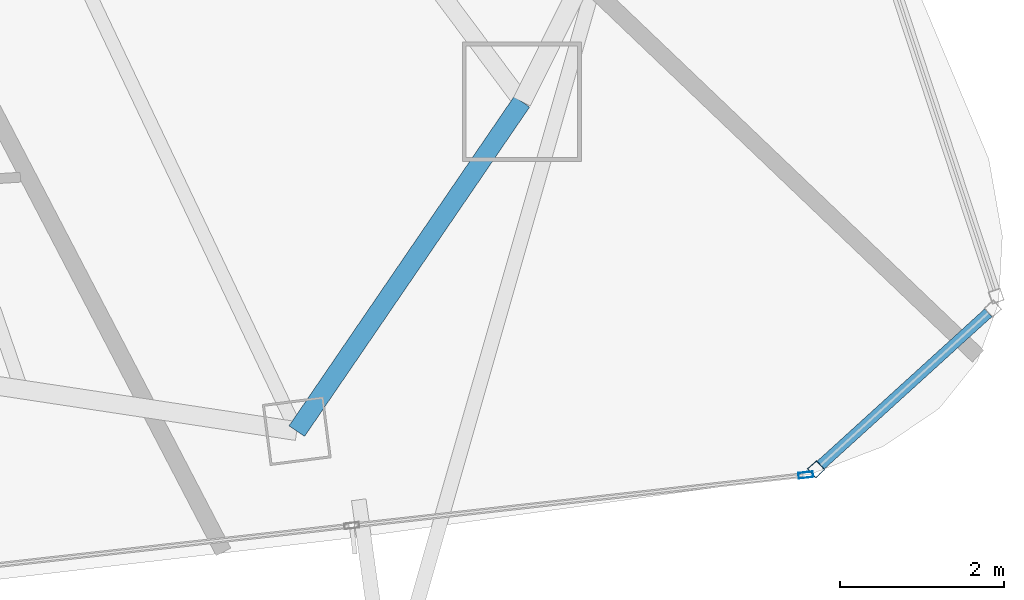
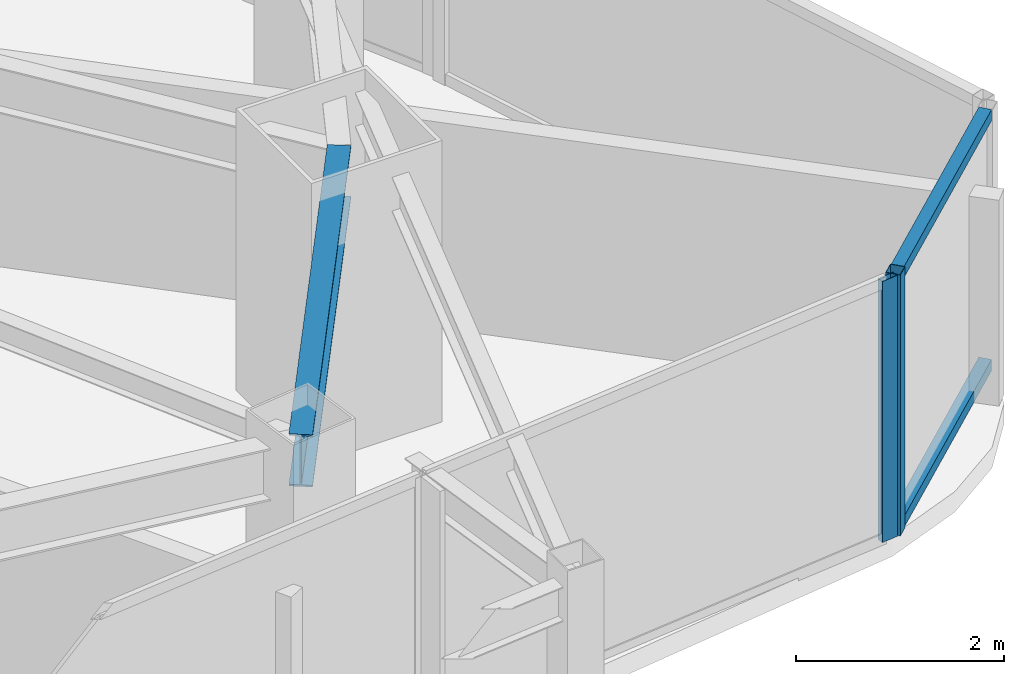
# One storey, part 13 of 29: 4 members, 1 beam, 2 elements without a shape of their own.
"""IFC4 building model written with IfcOpenShell, lengths in metres."""

from ifc_helpers import new_model, si_unit, direction, frame, origin, origin_2d, place, context, subcontext, project, spatial, hollow_rectangle, i_section, extrude, material, layer, layer_set, material_profile, profile_set, type_object, element, aggregate, save


model = new_model("IFC4")

# Units and contexts
model_context = context("Model", 3, precision=1e-05, world=origin(), true_north=direction((0.0, 1.0)))
body_context = subcontext(model_context, "Body", "Model", "MODEL_VIEW")
ifc_project = project(units=[si_unit("LENGTHUNIT", "METRE"), si_unit("AREAUNIT", "SQUARE_METRE"), si_unit("VOLUMEUNIT", "CUBIC_METRE"), si_unit("PLANEANGLEUNIT", "RADIAN"), si_unit("MASSUNIT", "GRAM", prefix="KILO")], contexts=[model_context])

# Site, building, storey
site_placement = place(None, origin())
site = spatial("IfcSite", under=ifc_project, at=site_placement, CompositionType="ELEMENT")
building_placement = place(site_placement, origin())
building = spatial("IfcBuilding", under=site, at=building_placement, Name="Orvanel Arch Residences", CompositionType="ELEMENT")
storey_placement = place(building_placement, frame((0.0, 0.0, 173.75)))
storey = spatial("IfcBuildingStorey", under=building, at=storey_placement, Name="L49", CompositionType="ELEMENT", Elevation=173.75)

# Curtain wall, member
ifc_material_1 = material(Name="Bronze-anodised aluminium AA6063-T6", Category="aluminium")
ifc_layer_1 = layer(ifc_material_1, 0.18994140625)
ifc_layer_set_1 = layer_set([ifc_layer_1], Name="Bronze-anodised aluminium AA6063-T6")
curtain_wall_type_1 = type_object("IfcCurtainWallType", Name="CW5-CRN-SYS", PredefinedType="NOTDEFINED", material=ifc_layer_set_1)
curtain_wall_1_placement = place(storey_placement, origin())
curtain_wall_1 = element("IfcCurtainWall", 1, at=curtain_wall_1_placement, inside=storey, type_object=curtain_wall_type_1, Name="L49 CW5-CRN-SYS Unitised Curtain Wall", PredefinedType="NOTDEFINED")
ifc_material_profile_1 = material_profile(ifc_material_1, hollow_rectangle(XDim=0.14990234375, YDim=0.14990234375, WallThickness=0.0048828125, at=origin_2d()), Name="ALU150x150x5")
ifc_profile_set_1 = profile_set([ifc_material_profile_1], Name="Bronze-anodised aluminium AA6063-T6")
member_type_1 = type_object("IfcMemberType", Name="MUL-150x150", PredefinedType="MULLION", material=ifc_profile_set_1)
member_1_placement = place(storey_placement, frame((55.384521484375, 5.87451171875, 0.0), z_axis=(0.0, 0.0, 1.0), x_axis=(-0.672461234192, 0.740132345266, 0.0)))
member_1 = element("IfcMember", 2, at=member_1_placement, type_object=member_type_1, Name="CW-S5 mullion 1", PredefinedType="MULLION", context=body_context, shape_type="SweptSolid", body=[
    extrude(hollow_rectangle(XDim=0.14990234375, YDim=0.14990234375, WallThickness=0.0048828125, at=origin_2d()), origin(), (0.0, 0.0, 1.0), 3.06005859375),
])

ifc_layer_2 = layer(ifc_material_1, 0.179931640625)
ifc_layer_set_2 = layer_set([ifc_layer_2], Name="Bronze-anodised aluminium AA6063-T6")
curtain_wall_type_2 = type_object("IfcCurtainWallType", Name="CW3-MID-SYS", PredefinedType="NOTDEFINED", material=ifc_layer_set_2)
curtain_wall_2_placement = place(storey_placement, origin())
curtain_wall_2 = element("IfcCurtainWall", 3, at=curtain_wall_2_placement, inside=storey, type_object=curtain_wall_type_2, Name="L49 CW3-MID-SYS Unitised Curtain Wall", PredefinedType="NOTDEFINED")
ifc_material_profile_2 = material_profile(ifc_material_1, hollow_rectangle(XDim=0.070068359375, YDim=0.179931640625, WallThickness=0.00439453125, at=origin_2d()), Name="ALU180x70x4.5")
ifc_profile_set_2 = profile_set([ifc_material_profile_2], Name="Bronze-anodised aluminium AA6063-T6")
member_type_2 = type_object("IfcMemberType", Name="MUL-180x70", PredefinedType="MULLION", material=ifc_profile_set_2)
member_2_placement = place(storey_placement, frame((55.25927734375, 5.80517578125, 0.0), z_axis=(0.0, 0.0, 1.0), x_axis=(-0.110836581045, 0.993838645003, 0.0)))
member_2 = element("IfcMember", 4, at=member_2_placement, type_object=member_type_2, Name="CW-S3 mullion 4", PredefinedType="MULLION", context=body_context, shape_type="SweptSolid", body=[
    extrude(hollow_rectangle(XDim=0.070068359375, YDim=0.179931640625, WallThickness=0.00439453125, at=origin_2d()), origin(), (0.0, 0.0, 1.0), 3.06005859375),
])
aggregate(curtain_wall_2, [member_2])

# Beam
ifc_material_2 = material(Name="Structural steel AS/NZS 3679.1 Grade 300 (300 MPa)", Category="steel")
ifc_material_profile_3 = material_profile(ifc_material_2, i_section(OverallWidth=0.22900390625, OverallDepth=0.612060546875, WebThickness=0.011962890625, FlangeThickness=0.01953125, at=origin_2d()), Name="610UB125")
ifc_profile_set_3 = profile_set([ifc_material_profile_3], Name="Structural steel AS/NZS 3679.1 Grade 300 (300 MPa)")
beam_type = type_object("IfcBeamType", Name="SP-610UB", PredefinedType="SPANDREL", material=ifc_profile_set_3)
beam_placement = place(storey_placement, frame((49.05908203125, 6.339111328125, 2.75390625), z_axis=(0.564251579852, 0.825602903722, 0.0), x_axis=(-0.825602903722, 0.564251579852, 0.0)))
element("IfcBeam", 5, at=beam_placement, inside=storey, type_object=beam_type, Name="L49 Perimeter Spandrel Beam 08", PredefinedType="SPANDREL", context=body_context, shape_type="SweptSolid", body=[
    extrude(i_section(OverallWidth=0.22900390625, OverallDepth=0.612060546875, WebThickness=0.011962890625, FlangeThickness=0.01953125, at=origin_2d()), origin(), (0.0, 0.0, 1.0), 4.859375),
])

# Member
ifc_material_profile_4 = material_profile(ifc_material_1, hollow_rectangle(XDim=0.1298828125, YDim=0.1298828125, WallThickness=0.00439453125, at=origin_2d()), Name="ALU130x130x4.5")
ifc_profile_set_4 = profile_set([ifc_material_profile_4], Name="Bronze-anodised aluminium AA6063-T6")
member_type_3 = type_object("IfcMemberType", Name="TRN-130x130", PredefinedType="USERDEFINED", material=ifc_profile_set_4)
member_3_placement = place(storey_placement, frame((55.43994140625, 5.9248046875, 0.06494140625), z_axis=(0.740144250824, 0.672448130321, 0.0), x_axis=(-0.672448130321, 0.740144250824, 0.0)))
member_3 = element("IfcMember", 6, at=member_3_placement, type_object=member_type_3, Name="CW-S5 transom 1.1", ObjectType="TRANSOM", PredefinedType="USERDEFINED", context=body_context, shape_type="SweptSolid", body=[
    extrude(hollow_rectangle(XDim=0.1298828125, YDim=0.1298828125, WallThickness=0.00439453125, at=origin_2d()), origin(), (0.0, 0.0, 1.0), 2.7587890625),
])

member_4_placement = place(storey_placement, frame((55.43994140625, 5.9248046875, 2.9951171875), z_axis=(0.740144250824, 0.672448130321, 0.0), x_axis=(-0.672448130321, 0.740144250824, 0.0)))
member_4 = element("IfcMember", 7, at=member_4_placement, type_object=member_type_3, Name="CW-S5 transom 1.2", ObjectType="TRANSOM", PredefinedType="USERDEFINED", context=body_context, shape_type="SweptSolid", body=[
    extrude(hollow_rectangle(XDim=0.1298828125, YDim=0.1298828125, WallThickness=0.00439453125, at=origin_2d()), origin(), (0.0, 0.0, 1.0), 2.7587890625),
])

aggregate(curtain_wall_1, [member_1, member_3, member_4])

save(model, "model.ifc")
